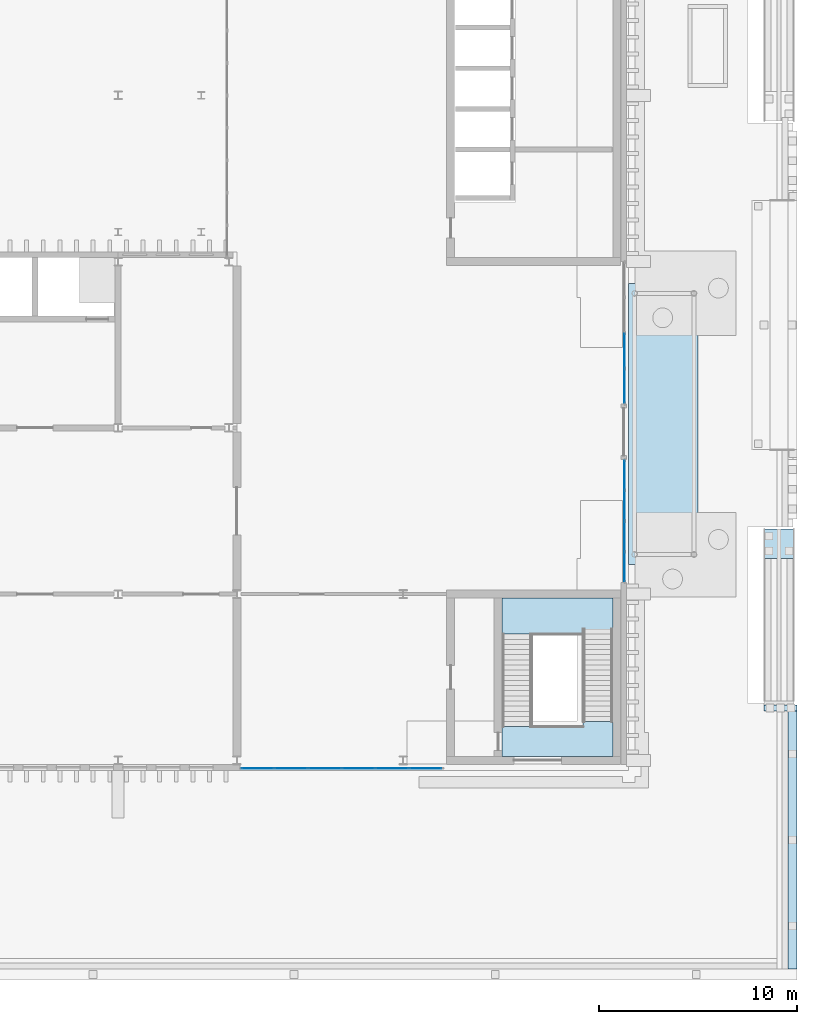
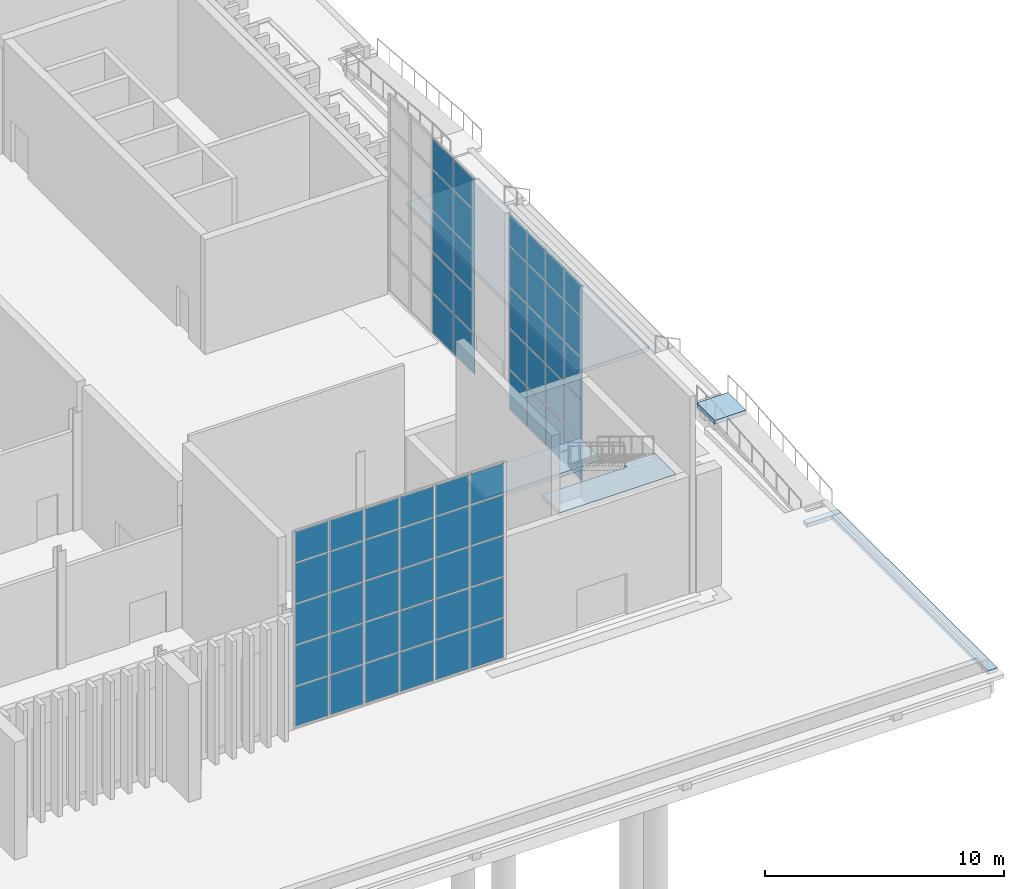
# One storey, part 49 of 108: 60 plates, 6 slabs, 5 elements without a shape of their own.
"""IFC4 building model written with IfcOpenShell, lengths in metres."""

import ifcopenshell
import ifcopenshell.guid

model = None  # the IFC model being written
_history = None  # IfcOwnerHistory: only IFC2X3 demands one
_inside = {}  # id of a spatial element -> (the spatial element, [elements in it])
_under = {}  # id of a project, library or spatial element -> (it, [spatial elements below it])
_declared = {}  # id of a project -> (the project, [libraries it declares])
_typed = {}  # id of a type object -> (the type object, [elements of that type])
_made_of = {}  # id of a material, layer set ... -> (it, [elements and type objects made of it])


def new_model(schema):
    """Start an empty IFC model of exactly this schema.

    Asked for "IFC4X3", IfcOpenShell would pick the latest addendum, in which some entities
    have other attributes; the version numbers below select the first issue.
    IFC2X3 requires an IfcOwnerHistory on every rooted entity: one is made here for all.
    """
    global model, _history
    if schema == "IFC4X3":
        model = ifcopenshell.file(schema_version=(4, 3, 0, 0))
    else:
        model = ifcopenshell.file(schema=schema)
    _inside.clear()
    _under.clear()
    _declared.clear()
    _typed.clear()
    _made_of.clear()
    _history = None
    if model.schema == "IFC2X3":
        org = make("IfcOrganization", Name="unknown")
        user = make(
            "IfcPersonAndOrganization",
            ThePerson=make("IfcPerson", FamilyName="unknown"),
            TheOrganization=org,
        )
        app = make(
            "IfcApplication",
            ApplicationDeveloper=org,
            Version="unknown",
            ApplicationFullName="unknown",
            ApplicationIdentifier="unknown",
        )
        _history = make(
            "IfcOwnerHistory",
            OwningUser=user,
            OwningApplication=app,
            ChangeAction="ADDED",
            CreationDate=0,
        )
    return model


def make(cls, **values):
    """One entity of the class cls with the attributes given. An attribute that is None is left unset."""
    return model.create_entity(
        cls, **{name: value for name, value in values.items() if value is not None}
    )


def rooted(cls, **values):
    """An entity with a GlobalId (a new one), such as an element, a storey or a relation."""
    return make(cls, GlobalId=ifcopenshell.guid.new(), OwnerHistory=_history, **values)


def si_unit(unit_type, name, prefix=None):
    """IfcSIUnit, for example si_unit("LENGTHUNIT", "METRE", prefix="MILLI")."""
    return make("IfcSIUnit", UnitType=unit_type, Prefix=prefix, Name=name)


def assignment(units):
    """IfcUnitAssignment: the units of a project."""
    return None if units is None else make("IfcUnitAssignment", Units=units)


def point(xyz):
    """IfcCartesianPoint."""
    return None if xyz is None else make("IfcCartesianPoint", Coordinates=xyz)


def direction(xyz):
    """IfcDirection."""
    return None if xyz is None else make("IfcDirection", DirectionRatios=xyz)


def frame(location, z_axis=None, x_axis=None):
    """IfcAxis2Placement3D, a coordinate frame: its origin and axes. An axis left out is left unset."""
    return make(
        "IfcAxis2Placement3D",
        Location=point(location),
        Axis=direction(z_axis),
        RefDirection=direction(x_axis),
    )


def frame_2d(location, x_axis=None):
    """IfcAxis2Placement2D, a coordinate frame in the plane: its origin and x axis."""
    return make(
        "IfcAxis2Placement2D", Location=point(location), RefDirection=direction(x_axis)
    )


def origin():
    """The frame at (0, 0, 0) with its axes left unset."""
    return frame((0.0, 0.0, 0.0))


def origin_2d():
    """The frame at (0, 0) in the plane with its x axis left unset."""
    return frame_2d((0.0, 0.0))


def place(relative_to, where):
    """IfcLocalPlacement: puts the frame where relative to a parent placement (None: the world)."""
    return make(
        "IfcLocalPlacement", PlacementRelTo=relative_to, RelativePlacement=where
    )


def context(
    kind, dimensions, precision=None, world=None, true_north=None, identifier=None
):
    """IfcGeometricRepresentationContext, for example the 3D "Model" context."""
    return make(
        "IfcGeometricRepresentationContext",
        ContextIdentifier=identifier,
        ContextType=kind,
        CoordinateSpaceDimension=dimensions,
        Precision=precision,
        WorldCoordinateSystem=world,
        TrueNorth=true_north,
    )


def subcontext(parent, identifier, kind, view, scale=None):
    """IfcGeometricRepresentationSubContext, for example "Body" below "Model"."""
    return make(
        "IfcGeometricRepresentationSubContext",
        ContextIdentifier=identifier,
        ContextType=kind,
        ParentContext=parent,
        TargetScale=scale,
        TargetView=view,
    )


def project(units=None, contexts=None):
    """IfcProject with its units and contexts."""
    return rooted(
        "IfcProject",
        Name="project",
        RepresentationContexts=contexts,
        UnitsInContext=assignment(units),
    )


def spatial(cls, under=None, at=None, **own):
    """A site, building, storey or space (cls), placed at a placement, below another one or the project."""
    s = rooted(cls, ObjectPlacement=at, **own)
    if under is not None:
        _under.setdefault(under.id(), (under, []))[1].append(s)
    return s


def polyline(points):
    """IfcPolyline through the points."""
    return make("IfcPolyline", Points=[point(p) for p in points])


def profile(cls, at=None, kind="AREA", **sizes):
    """A parametric profile (cls). Its sizes go by their IFC names, for example OverallWidth=200.0."""
    return make(cls, ProfileType=kind, Position=at, **sizes)


def rectangle(**sizes):
    """IfcRectangleProfileDef."""
    return profile("IfcRectangleProfileDef", **sizes)


def outline(outer, holes=None, kind="AREA"):
    """IfcArbitraryClosedProfileDef: a profile drawn as a closed curve; with holes, ...WithVoids."""
    if holes is None:
        return make("IfcArbitraryClosedProfileDef", ProfileType=kind, OuterCurve=outer)
    return make(
        "IfcArbitraryProfileDefWithVoids",
        ProfileType=kind,
        OuterCurve=outer,
        InnerCurves=holes,
    )


def extrude(swept, where, along, depth):
    """IfcExtrudedAreaSolid: the profile swept, set in the frame where, extruded along a direction by depth."""
    return make(
        "IfcExtrudedAreaSolid",
        SweptArea=swept,
        Position=where,
        ExtrudedDirection=direction(along),
        Depth=depth,
    )


def shape(context_of_items, identifier, shape_type, items):
    """IfcShapeRepresentation: the items that make up one representation, for example the "Body"."""
    return make(
        "IfcShapeRepresentation",
        ContextOfItems=context_of_items,
        RepresentationIdentifier=identifier,
        RepresentationType=shape_type,
        Items=items,
    )


def material(Name=None, Category=None):
    """IfcMaterial."""
    return make("IfcMaterial", Name=Name, Category=Category)


def layer(
    of_material, thickness, ventilated=None, Name=None, Category=None, Priority=None
):
    """IfcMaterialLayer: one layer of a wall or slab, of a material (None: an air gap)."""
    return make(
        "IfcMaterialLayer",
        Material=of_material,
        LayerThickness=thickness,
        IsVentilated=ventilated,
        Name=Name,
        Category=Category,
        Priority=Priority,
    )


def layer_set(layers, Name=None):
    """IfcMaterialLayerSet."""
    return make("IfcMaterialLayerSet", MaterialLayers=layers, LayerSetName=Name)


def made_of(thing, what):
    """Note that an element or type object is made of a material, layer set ...; save() writes the relation."""
    if what is not None:
        _made_of.setdefault(what.id(), (what, []))[1].append(thing)
    return thing


def type_object(cls, material=None, **own):
    """A type object (cls), such as IfcWallType, which elements share."""
    return made_of(rooted(cls, **own), material)


def element(
    cls,
    number,
    at=None,
    inside=None,
    cuts=None,
    type_object=None,
    material=None,
    context=None,
    identifier="Body",
    shape_type=None,
    held_by="IfcProductDefinitionShape",
    body=None,
    shapes=None,
    **own,
):
    """One element of the class cls, such as IfcWall. Its Tag is "e" and its number.

    at: its placement. inside: the storey or other place that contains it. cuts: it is an
    opening in that element (IfcRelVoidsElement). A single representation is given by context,
    identifier, shape_type and body (its items); several are given by shapes. held_by: the class
    of the entity that holds the representations. save() writes the other relations.
    """
    e = rooted(cls, Tag="e%d" % number, ObjectPlacement=at, **own)
    if body is not None:
        shapes = [shape(context, identifier, shape_type, body)]
    if shapes is not None:
        e.Representation = make(held_by, Representations=shapes)
    if inside is not None:
        _inside.setdefault(inside.id(), (inside, []))[1].append(e)
    if cuts is not None:
        rooted(
            "IfcRelVoidsElement", RelatingBuildingElement=cuts, RelatedOpeningElement=e
        )
    if type_object is not None:
        _typed.setdefault(type_object.id(), (type_object, []))[1].append(e)
    return made_of(e, material)


def aggregate(whole, parts):
    """IfcRelAggregates: a whole, such as a stair, and the parts it consists of."""
    return rooted("IfcRelAggregates", RelatingObject=whole, RelatedObjects=parts)


def save(model, path):
    """Write the relations noted so far, then the file.

    IfcRelAggregates (storeys below a building ...), IfcRelContainedInSpatialStructure (elements
    in a storey), IfcRelDefinesByType, IfcRelAssociatesMaterial and IfcRelDeclares: one each for
    every whole, place, type object, material and project.
    """
    for whole, parts in _under.values():
        aggregate(whole, parts)
    for where, things in _inside.values():
        rooted(
            "IfcRelContainedInSpatialStructure",
            RelatedElements=things,
            RelatingStructure=where,
        )
    for kind, things in _typed.values():
        rooted("IfcRelDefinesByType", RelatedObjects=things, RelatingType=kind)
    for what, things in _made_of.values():
        rooted("IfcRelAssociatesMaterial", RelatedObjects=things, RelatingMaterial=what)
    for by, libraries in _declared.values():
        rooted("IfcRelDeclares", RelatingContext=by, RelatedDefinitions=libraries)
    model.write(path)


model = new_model("IFC4")

# Units and contexts
model_context = context("Model", 3, precision=1e-05, world=origin(), true_north=direction((0.0, 1.0)))
body_context = subcontext(model_context, "Body", "Model", "MODEL_VIEW")
ifc_project = project(units=[si_unit("LENGTHUNIT", "METRE"), si_unit("AREAUNIT", "SQUARE_METRE"), si_unit("VOLUMEUNIT", "CUBIC_METRE"), si_unit("PLANEANGLEUNIT", "RADIAN"), si_unit("MASSUNIT", "GRAM", prefix="KILO")], contexts=[model_context])

# Site, building, storey
site_placement = place(None, origin())
site = spatial("IfcSite", under=ifc_project, at=site_placement, CompositionType="ELEMENT")
building_placement = place(site_placement, origin())
building = spatial("IfcBuilding", under=site, at=building_placement, Name="Cresset Court Congress Hotel", CompositionType="ELEMENT")
storey_placement = place(building_placement, origin())
storey = spatial("IfcBuildingStorey", under=building, at=storey_placement, Name="L00", CompositionType="ELEMENT", Elevation=0.0)

# Curtain wall, plates
ifc_material_1 = material(Name="Aluminium and glass", Category="aluminium")
curtain_wall_type = type_object("IfcCurtainWallType", Name="Curtain wall 1680 module", PredefinedType="NOTDEFINED", material=ifc_material_1)
curtain_wall_1_placement = place(storey_placement, origin())
curtain_wall_1 = element("IfcCurtainWall", 1, at=curtain_wall_1_placement, inside=storey, type_object=curtain_wall_type, Name="Entrance glazing south", PredefinedType="NOTDEFINED")
ifc_material_2 = material(Name="Laminated glass", Category="glass")
ifc_layer_1 = layer(ifc_material_2, 0.028076171875)
ifc_layer_set_1 = layer_set([ifc_layer_1], Name="Curtain wall glass panel 28")
plate_type = type_object("IfcPlateType", Name="Curtain wall glass panel 28", PredefinedType="CURTAIN_PANEL", material=ifc_layer_set_1)
plate_1_placement = place(storey_placement, frame((176.800048828125, 9.7900390625, 0.06005859375), z_axis=(0.0, 0.0, 1.0), x_axis=(0.0, 1.0, 0.0)))
plate_1 = element("IfcPlate", 2, at=plate_1_placement, type_object=plate_type, Name="A-X1 panel 1.1", PredefinedType="CURTAIN_PANEL", context=body_context, shape_type="SweptSolid", body=[
    extrude(rectangle(XDim=1.4599609375, YDim=0.028076171875, at=origin_2d()), origin(), (0.0, 0.0, 1.0), 2.010009765625),
])
plate_2_placement = place(storey_placement, frame((176.800048828125, 9.7900390625, 2.1298828125), z_axis=(0.0, 0.0, 1.0), x_axis=(0.0, 1.0, 0.0)))
plate_2 = element("IfcPlate", 3, at=plate_2_placement, type_object=plate_type, Name="A-X1 panel 1.2", PredefinedType="CURTAIN_PANEL", context=body_context, shape_type="SweptSolid", body=[
    extrude(rectangle(XDim=1.4599609375, YDim=0.028076171875, at=origin_2d()), origin(), (0.0, 0.0, 1.0), 2.0400390625),
])
plate_3_placement = place(storey_placement, frame((176.800048828125, 9.7900390625, 4.22998046875), z_axis=(0.0, 0.0, 1.0), x_axis=(0.0, 1.0, 0.0)))
plate_3 = element("IfcPlate", 4, at=plate_3_placement, type_object=plate_type, Name="A-X1 panel 1.3", PredefinedType="CURTAIN_PANEL", context=body_context, shape_type="SweptSolid", body=[
    extrude(rectangle(XDim=1.4599609375, YDim=0.028076171875, at=origin_2d()), origin(), (0.0, 0.0, 1.0), 2.0400390625),
])
plate_4_placement = place(storey_placement, frame((176.800048828125, 9.7900390625, 6.330078125), z_axis=(0.0, 0.0, 1.0), x_axis=(0.0, 1.0, 0.0)))
plate_4 = element("IfcPlate", 5, at=plate_4_placement, type_object=plate_type, Name="A-X1 panel 1.4", PredefinedType="CURTAIN_PANEL", context=body_context, shape_type="SweptSolid", body=[
    extrude(rectangle(XDim=1.4599609375, YDim=0.028076171875, at=origin_2d()), origin(), (0.0, 0.0, 1.0), 2.0400390625),
])
plate_5_placement = place(storey_placement, frame((176.800048828125, 9.7900390625, 8.429931640625), z_axis=(0.0, 0.0, 1.0), x_axis=(0.0, 1.0, 0.0)))
plate_5 = element("IfcPlate", 6, at=plate_5_placement, type_object=plate_type, Name="A-X1 panel 1.5", PredefinedType="CURTAIN_PANEL", context=body_context, shape_type="SweptSolid", body=[
    extrude(rectangle(XDim=1.4599609375, YDim=0.028076171875, at=origin_2d()), origin(), (0.0, 0.0, 1.0), 1.56005859375),
])
plate_6_placement = place(storey_placement, frame((176.800048828125, 11.324951171875, 0.06005859375), z_axis=(0.0, 0.0, 1.0), x_axis=(0.0, 1.0, 0.0)))
plate_6 = element("IfcPlate", 7, at=plate_6_placement, type_object=plate_type, Name="A-X1 panel 2.1", PredefinedType="CURTAIN_PANEL", context=body_context, shape_type="SweptSolid", body=[
    extrude(rectangle(XDim=1.489990234375, YDim=0.028076171875, at=origin_2d()), origin(), (0.0, 0.0, 1.0), 2.010009765625),
])
plate_7_placement = place(storey_placement, frame((176.800048828125, 11.324951171875, 2.1298828125), z_axis=(0.0, 0.0, 1.0), x_axis=(0.0, 1.0, 0.0)))
plate_7 = element("IfcPlate", 8, at=plate_7_placement, type_object=plate_type, Name="A-X1 panel 2.2", PredefinedType="CURTAIN_PANEL", context=body_context, shape_type="SweptSolid", body=[
    extrude(rectangle(XDim=1.489990234375, YDim=0.028076171875, at=origin_2d()), origin(), (0.0, 0.0, 1.0), 2.0400390625),
])
plate_8_placement = place(storey_placement, frame((176.800048828125, 11.324951171875, 4.22998046875), z_axis=(0.0, 0.0, 1.0), x_axis=(0.0, 1.0, 0.0)))
plate_8 = element("IfcPlate", 9, at=plate_8_placement, type_object=plate_type, Name="A-X1 panel 2.3", PredefinedType="CURTAIN_PANEL", context=body_context, shape_type="SweptSolid", body=[
    extrude(rectangle(XDim=1.489990234375, YDim=0.028076171875, at=origin_2d()), origin(), (0.0, 0.0, 1.0), 2.0400390625),
])
plate_9_placement = place(storey_placement, frame((176.800048828125, 11.324951171875, 6.330078125), z_axis=(0.0, 0.0, 1.0), x_axis=(0.0, 1.0, 0.0)))
plate_9 = element("IfcPlate", 10, at=plate_9_placement, type_object=plate_type, Name="A-X1 panel 2.4", PredefinedType="CURTAIN_PANEL", context=body_context, shape_type="SweptSolid", body=[
    extrude(rectangle(XDim=1.489990234375, YDim=0.028076171875, at=origin_2d()), origin(), (0.0, 0.0, 1.0), 2.0400390625),
])
plate_10_placement = place(storey_placement, frame((176.800048828125, 11.324951171875, 8.429931640625), z_axis=(0.0, 0.0, 1.0), x_axis=(0.0, 1.0, 0.0)))
plate_10 = element("IfcPlate", 11, at=plate_10_placement, type_object=plate_type, Name="A-X1 panel 2.5", PredefinedType="CURTAIN_PANEL", context=body_context, shape_type="SweptSolid", body=[
    extrude(rectangle(XDim=1.489990234375, YDim=0.028076171875, at=origin_2d()), origin(), (0.0, 0.0, 1.0), 1.56005859375),
])
plate_11_placement = place(storey_placement, frame((176.800048828125, 12.875, 0.06005859375), z_axis=(0.0, 0.0, 1.0), x_axis=(0.0, 1.0, 0.0)))
plate_11 = element("IfcPlate", 12, at=plate_11_placement, type_object=plate_type, Name="A-X1 panel 3.1", PredefinedType="CURTAIN_PANEL", context=body_context, shape_type="SweptSolid", body=[
    extrude(rectangle(XDim=1.489990234375, YDim=0.028076171875, at=origin_2d()), origin(), (0.0, 0.0, 1.0), 2.010009765625),
])
plate_12_placement = place(storey_placement, frame((176.800048828125, 12.875, 2.1298828125), z_axis=(0.0, 0.0, 1.0), x_axis=(0.0, 1.0, 0.0)))
plate_12 = element("IfcPlate", 13, at=plate_12_placement, type_object=plate_type, Name="A-X1 panel 3.2", PredefinedType="CURTAIN_PANEL", context=body_context, shape_type="SweptSolid", body=[
    extrude(rectangle(XDim=1.489990234375, YDim=0.028076171875, at=origin_2d()), origin(), (0.0, 0.0, 1.0), 2.0400390625),
])
plate_13_placement = place(storey_placement, frame((176.800048828125, 12.875, 4.22998046875), z_axis=(0.0, 0.0, 1.0), x_axis=(0.0, 1.0, 0.0)))
plate_13 = element("IfcPlate", 14, at=plate_13_placement, type_object=plate_type, Name="A-X1 panel 3.3", PredefinedType="CURTAIN_PANEL", context=body_context, shape_type="SweptSolid", body=[
    extrude(rectangle(XDim=1.489990234375, YDim=0.028076171875, at=origin_2d()), origin(), (0.0, 0.0, 1.0), 2.0400390625),
])
plate_14_placement = place(storey_placement, frame((176.800048828125, 12.875, 6.330078125), z_axis=(0.0, 0.0, 1.0), x_axis=(0.0, 1.0, 0.0)))
plate_14 = element("IfcPlate", 15, at=plate_14_placement, type_object=plate_type, Name="A-X1 panel 3.4", PredefinedType="CURTAIN_PANEL", context=body_context, shape_type="SweptSolid", body=[
    extrude(rectangle(XDim=1.489990234375, YDim=0.028076171875, at=origin_2d()), origin(), (0.0, 0.0, 1.0), 2.0400390625),
])
plate_15_placement = place(storey_placement, frame((176.800048828125, 12.875, 8.429931640625), z_axis=(0.0, 0.0, 1.0), x_axis=(0.0, 1.0, 0.0)))
plate_15 = element("IfcPlate", 16, at=plate_15_placement, type_object=plate_type, Name="A-X1 panel 3.5", PredefinedType="CURTAIN_PANEL", context=body_context, shape_type="SweptSolid", body=[
    extrude(rectangle(XDim=1.489990234375, YDim=0.028076171875, at=origin_2d()), origin(), (0.0, 0.0, 1.0), 1.56005859375),
])
plate_16_placement = place(storey_placement, frame((176.800048828125, 14.409912109375, 0.06005859375), z_axis=(0.0, 0.0, 1.0), x_axis=(0.0, 1.0, 0.0)))
plate_16 = element("IfcPlate", 17, at=plate_16_placement, type_object=plate_type, Name="A-X1 panel 4.1", PredefinedType="CURTAIN_PANEL", context=body_context, shape_type="SweptSolid", body=[
    extrude(rectangle(XDim=1.4599609375, YDim=0.028076171875, at=origin_2d()), origin(), (0.0, 0.0, 1.0), 2.010009765625),
])
plate_17_placement = place(storey_placement, frame((176.800048828125, 14.409912109375, 2.1298828125), z_axis=(0.0, 0.0, 1.0), x_axis=(0.0, 1.0, 0.0)))
plate_17 = element("IfcPlate", 18, at=plate_17_placement, type_object=plate_type, Name="A-X1 panel 4.2", PredefinedType="CURTAIN_PANEL", context=body_context, shape_type="SweptSolid", body=[
    extrude(rectangle(XDim=1.4599609375, YDim=0.028076171875, at=origin_2d()), origin(), (0.0, 0.0, 1.0), 2.0400390625),
])
plate_18_placement = place(storey_placement, frame((176.800048828125, 14.409912109375, 4.22998046875), z_axis=(0.0, 0.0, 1.0), x_axis=(0.0, 1.0, 0.0)))
plate_18 = element("IfcPlate", 19, at=plate_18_placement, type_object=plate_type, Name="A-X1 panel 4.3", PredefinedType="CURTAIN_PANEL", context=body_context, shape_type="SweptSolid", body=[
    extrude(rectangle(XDim=1.4599609375, YDim=0.028076171875, at=origin_2d()), origin(), (0.0, 0.0, 1.0), 2.0400390625),
])
plate_19_placement = place(storey_placement, frame((176.800048828125, 14.409912109375, 6.330078125), z_axis=(0.0, 0.0, 1.0), x_axis=(0.0, 1.0, 0.0)))
plate_19 = element("IfcPlate", 20, at=plate_19_placement, type_object=plate_type, Name="A-X1 panel 4.4", PredefinedType="CURTAIN_PANEL", context=body_context, shape_type="SweptSolid", body=[
    extrude(rectangle(XDim=1.4599609375, YDim=0.028076171875, at=origin_2d()), origin(), (0.0, 0.0, 1.0), 2.0400390625),
])
plate_20_placement = place(storey_placement, frame((176.800048828125, 14.409912109375, 8.429931640625), z_axis=(0.0, 0.0, 1.0), x_axis=(0.0, 1.0, 0.0)))
plate_20 = element("IfcPlate", 21, at=plate_20_placement, type_object=plate_type, Name="A-X1 panel 4.5", PredefinedType="CURTAIN_PANEL", context=body_context, shape_type="SweptSolid", body=[
    extrude(rectangle(XDim=1.4599609375, YDim=0.028076171875, at=origin_2d()), origin(), (0.0, 0.0, 1.0), 1.56005859375),
])
aggregate(curtain_wall_1, [plate_1, plate_2, plate_3, plate_4, plate_5, plate_6, plate_7, plate_8, plate_9, plate_10, plate_11, plate_12, plate_13, plate_14, plate_15, plate_16, plate_17, plate_18, plate_19, plate_20])

curtain_wall_2_placement = place(storey_placement, origin())
curtain_wall_2 = element("IfcCurtainWall", 22, at=curtain_wall_2_placement, inside=storey, type_object=curtain_wall_type, Name="Entrance glazing north", PredefinedType="NOTDEFINED")
plate_21_placement = place(storey_placement, frame((176.800048828125, 18.9150390625, 0.06005859375), z_axis=(0.0, 0.0, 1.0), x_axis=(0.0, 1.0, 0.0)))
plate_21 = element("IfcPlate", 23, at=plate_21_placement, type_object=plate_type, Name="A-X1 panel 1.1", PredefinedType="CURTAIN_PANEL", context=body_context, shape_type="SweptSolid", body=[
    extrude(rectangle(XDim=1.7099609375, YDim=0.028076171875, at=origin_2d()), origin(), (0.0, 0.0, 1.0), 2.010009765625),
])
plate_22_placement = place(storey_placement, frame((176.800048828125, 18.9150390625, 2.1298828125), z_axis=(0.0, 0.0, 1.0), x_axis=(0.0, 1.0, 0.0)))
plate_22 = element("IfcPlate", 24, at=plate_22_placement, type_object=plate_type, Name="A-X1 panel 1.2", PredefinedType="CURTAIN_PANEL", context=body_context, shape_type="SweptSolid", body=[
    extrude(rectangle(XDim=1.7099609375, YDim=0.028076171875, at=origin_2d()), origin(), (0.0, 0.0, 1.0), 2.0400390625),
])
plate_23_placement = place(storey_placement, frame((176.800048828125, 18.9150390625, 4.22998046875), z_axis=(0.0, 0.0, 1.0), x_axis=(0.0, 1.0, 0.0)))
plate_23 = element("IfcPlate", 25, at=plate_23_placement, type_object=plate_type, Name="A-X1 panel 1.3", PredefinedType="CURTAIN_PANEL", context=body_context, shape_type="SweptSolid", body=[
    extrude(rectangle(XDim=1.7099609375, YDim=0.028076171875, at=origin_2d()), origin(), (0.0, 0.0, 1.0), 2.0400390625),
])
plate_24_placement = place(storey_placement, frame((176.800048828125, 18.9150390625, 6.330078125), z_axis=(0.0, 0.0, 1.0), x_axis=(0.0, 1.0, 0.0)))
plate_24 = element("IfcPlate", 26, at=plate_24_placement, type_object=plate_type, Name="A-X1 panel 1.4", PredefinedType="CURTAIN_PANEL", context=body_context, shape_type="SweptSolid", body=[
    extrude(rectangle(XDim=1.7099609375, YDim=0.028076171875, at=origin_2d()), origin(), (0.0, 0.0, 1.0), 2.0400390625),
])
plate_25_placement = place(storey_placement, frame((176.800048828125, 18.9150390625, 8.429931640625), z_axis=(0.0, 0.0, 1.0), x_axis=(0.0, 1.0, 0.0)))
plate_25 = element("IfcPlate", 27, at=plate_25_placement, type_object=plate_type, Name="A-X1 panel 1.5", PredefinedType="CURTAIN_PANEL", context=body_context, shape_type="SweptSolid", body=[
    extrude(rectangle(XDim=1.7099609375, YDim=0.028076171875, at=origin_2d()), origin(), (0.0, 0.0, 1.0), 1.56005859375),
])
plate_26_placement = place(storey_placement, frame((176.800048828125, 20.699951171875, 0.06005859375), z_axis=(0.0, 0.0, 1.0), x_axis=(0.0, 1.0, 0.0)))
plate_26 = element("IfcPlate", 28, at=plate_26_placement, type_object=plate_type, Name="A-X1 panel 2.1", PredefinedType="CURTAIN_PANEL", context=body_context, shape_type="SweptSolid", body=[
    extrude(rectangle(XDim=1.739990234375, YDim=0.028076171875, at=origin_2d()), origin(), (0.0, 0.0, 1.0), 2.010009765625),
])
plate_27_placement = place(storey_placement, frame((176.800048828125, 20.699951171875, 2.1298828125), z_axis=(0.0, 0.0, 1.0), x_axis=(0.0, 1.0, 0.0)))
plate_27 = element("IfcPlate", 29, at=plate_27_placement, type_object=plate_type, Name="A-X1 panel 2.2", PredefinedType="CURTAIN_PANEL", context=body_context, shape_type="SweptSolid", body=[
    extrude(rectangle(XDim=1.739990234375, YDim=0.028076171875, at=origin_2d()), origin(), (0.0, 0.0, 1.0), 2.0400390625),
])
plate_28_placement = place(storey_placement, frame((176.800048828125, 20.699951171875, 4.22998046875), z_axis=(0.0, 0.0, 1.0), x_axis=(0.0, 1.0, 0.0)))
plate_28 = element("IfcPlate", 30, at=plate_28_placement, type_object=plate_type, Name="A-X1 panel 2.3", PredefinedType="CURTAIN_PANEL", context=body_context, shape_type="SweptSolid", body=[
    extrude(rectangle(XDim=1.739990234375, YDim=0.028076171875, at=origin_2d()), origin(), (0.0, 0.0, 1.0), 2.0400390625),
])
plate_29_placement = place(storey_placement, frame((176.800048828125, 20.699951171875, 6.330078125), z_axis=(0.0, 0.0, 1.0), x_axis=(0.0, 1.0, 0.0)))
plate_29 = element("IfcPlate", 31, at=plate_29_placement, type_object=plate_type, Name="A-X1 panel 2.4", PredefinedType="CURTAIN_PANEL", context=body_context, shape_type="SweptSolid", body=[
    extrude(rectangle(XDim=1.739990234375, YDim=0.028076171875, at=origin_2d()), origin(), (0.0, 0.0, 1.0), 2.0400390625),
])
plate_30_placement = place(storey_placement, frame((176.800048828125, 20.699951171875, 8.429931640625), z_axis=(0.0, 0.0, 1.0), x_axis=(0.0, 1.0, 0.0)))
plate_30 = element("IfcPlate", 32, at=plate_30_placement, type_object=plate_type, Name="A-X1 panel 2.5", PredefinedType="CURTAIN_PANEL", context=body_context, shape_type="SweptSolid", body=[
    extrude(rectangle(XDim=1.739990234375, YDim=0.028076171875, at=origin_2d()), origin(), (0.0, 0.0, 1.0), 1.56005859375),
])
aggregate(curtain_wall_2, [plate_21, plate_22, plate_23, plate_24, plate_25, plate_26, plate_27, plate_28, plate_29, plate_30])

curtain_wall_3_placement = place(storey_placement, origin())
curtain_wall_3 = element("IfcCurtainWall", 33, at=curtain_wall_3_placement, inside=storey, type_object=curtain_wall_type, Name="Breakfast room glazing", PredefinedType="NOTDEFINED")
plate_31_placement = place(storey_placement, frame((158.264892578125, -0.39990234375, 0.06005859375), z_axis=(0.0, 0.0, 1.0), x_axis=(1.0, 0.0, 0.0)))
plate_31 = element("IfcPlate", 34, at=plate_31_placement, type_object=plate_type, Name="A-X1 panel 1.1", PredefinedType="CURTAIN_PANEL", context=body_context, shape_type="SweptSolid", body=[
    extrude(rectangle(XDim=1.610107421875, YDim=0.028076171875, at=origin_2d()), origin(), (0.0, 0.0, 1.0), 2.010009765625),
])
plate_32_placement = place(storey_placement, frame((158.264892578125, -0.39990234375, 2.1298828125), z_axis=(0.0, 0.0, 1.0), x_axis=(1.0, 0.0, 0.0)))
plate_32 = element("IfcPlate", 35, at=plate_32_placement, type_object=plate_type, Name="A-X1 panel 1.2", PredefinedType="CURTAIN_PANEL", context=body_context, shape_type="SweptSolid", body=[
    extrude(rectangle(XDim=1.610107421875, YDim=0.028076171875, at=origin_2d()), origin(), (0.0, 0.0, 1.0), 2.0400390625),
])
plate_33_placement = place(storey_placement, frame((158.264892578125, -0.39990234375, 4.22998046875), z_axis=(0.0, 0.0, 1.0), x_axis=(1.0, 0.0, 0.0)))
plate_33 = element("IfcPlate", 36, at=plate_33_placement, type_object=plate_type, Name="A-X1 panel 1.3", PredefinedType="CURTAIN_PANEL", context=body_context, shape_type="SweptSolid", body=[
    extrude(rectangle(XDim=1.610107421875, YDim=0.028076171875, at=origin_2d()), origin(), (0.0, 0.0, 1.0), 2.0400390625),
])
plate_34_placement = place(storey_placement, frame((158.264892578125, -0.39990234375, 6.330078125), z_axis=(0.0, 0.0, 1.0), x_axis=(1.0, 0.0, 0.0)))
plate_34 = element("IfcPlate", 37, at=plate_34_placement, type_object=plate_type, Name="A-X1 panel 1.4", PredefinedType="CURTAIN_PANEL", context=body_context, shape_type="SweptSolid", body=[
    extrude(rectangle(XDim=1.610107421875, YDim=0.028076171875, at=origin_2d()), origin(), (0.0, 0.0, 1.0), 2.0400390625),
])
plate_35_placement = place(storey_placement, frame((158.264892578125, -0.39990234375, 8.429931640625), z_axis=(0.0, 0.0, 1.0), x_axis=(1.0, 0.0, 0.0)))
plate_35 = element("IfcPlate", 38, at=plate_35_placement, type_object=plate_type, Name="A-X1 panel 1.5", PredefinedType="CURTAIN_PANEL", context=body_context, shape_type="SweptSolid", body=[
    extrude(rectangle(XDim=1.610107421875, YDim=0.028076171875, at=origin_2d()), origin(), (0.0, 0.0, 1.0), 1.56005859375),
])
plate_36_placement = place(storey_placement, frame((159.949951171875, -0.39990234375, 0.06005859375), z_axis=(0.0, 0.0, 1.0), x_axis=(1.0, 0.0, 0.0)))
plate_36 = element("IfcPlate", 39, at=plate_36_placement, type_object=plate_type, Name="A-X1 panel 2.1", PredefinedType="CURTAIN_PANEL", context=body_context, shape_type="SweptSolid", body=[
    extrude(rectangle(XDim=1.639892578125, YDim=0.028076171875, at=origin_2d()), origin(), (0.0, 0.0, 1.0), 2.010009765625),
])
plate_37_placement = place(storey_placement, frame((159.949951171875, -0.39990234375, 2.1298828125), z_axis=(0.0, 0.0, 1.0), x_axis=(1.0, 0.0, 0.0)))
plate_37 = element("IfcPlate", 40, at=plate_37_placement, type_object=plate_type, Name="A-X1 panel 2.2", PredefinedType="CURTAIN_PANEL", context=body_context, shape_type="SweptSolid", body=[
    extrude(rectangle(XDim=1.639892578125, YDim=0.028076171875, at=origin_2d()), origin(), (0.0, 0.0, 1.0), 2.0400390625),
])
plate_38_placement = place(storey_placement, frame((159.949951171875, -0.39990234375, 4.22998046875), z_axis=(0.0, 0.0, 1.0), x_axis=(1.0, 0.0, 0.0)))
plate_38 = element("IfcPlate", 41, at=plate_38_placement, type_object=plate_type, Name="A-X1 panel 2.3", PredefinedType="CURTAIN_PANEL", context=body_context, shape_type="SweptSolid", body=[
    extrude(rectangle(XDim=1.639892578125, YDim=0.028076171875, at=origin_2d()), origin(), (0.0, 0.0, 1.0), 2.0400390625),
])
plate_39_placement = place(storey_placement, frame((159.949951171875, -0.39990234375, 6.330078125), z_axis=(0.0, 0.0, 1.0), x_axis=(1.0, 0.0, 0.0)))
plate_39 = element("IfcPlate", 42, at=plate_39_placement, type_object=plate_type, Name="A-X1 panel 2.4", PredefinedType="CURTAIN_PANEL", context=body_context, shape_type="SweptSolid", body=[
    extrude(rectangle(XDim=1.639892578125, YDim=0.028076171875, at=origin_2d()), origin(), (0.0, 0.0, 1.0), 2.0400390625),
])
plate_40_placement = place(storey_placement, frame((159.949951171875, -0.39990234375, 8.429931640625), z_axis=(0.0, 0.0, 1.0), x_axis=(1.0, 0.0, 0.0)))
plate_40 = element("IfcPlate", 43, at=plate_40_placement, type_object=plate_type, Name="A-X1 panel 2.5", PredefinedType="CURTAIN_PANEL", context=body_context, shape_type="SweptSolid", body=[
    extrude(rectangle(XDim=1.639892578125, YDim=0.028076171875, at=origin_2d()), origin(), (0.0, 0.0, 1.0), 1.56005859375),
])
plate_41_placement = place(storey_placement, frame((161.64990234375, -0.39990234375, 0.06005859375), z_axis=(0.0, 0.0, 1.0), x_axis=(1.0, 0.0, 0.0)))
plate_41 = element("IfcPlate", 44, at=plate_41_placement, type_object=plate_type, Name="A-X1 panel 3.1", PredefinedType="CURTAIN_PANEL", context=body_context, shape_type="SweptSolid", body=[
    extrude(rectangle(XDim=1.639892578125, YDim=0.028076171875, at=origin_2d()), origin(), (0.0, 0.0, 1.0), 2.010009765625),
])
plate_42_placement = place(storey_placement, frame((161.64990234375, -0.39990234375, 2.1298828125), z_axis=(0.0, 0.0, 1.0), x_axis=(1.0, 0.0, 0.0)))
plate_42 = element("IfcPlate", 45, at=plate_42_placement, type_object=plate_type, Name="A-X1 panel 3.2", PredefinedType="CURTAIN_PANEL", context=body_context, shape_type="SweptSolid", body=[
    extrude(rectangle(XDim=1.639892578125, YDim=0.028076171875, at=origin_2d()), origin(), (0.0, 0.0, 1.0), 2.0400390625),
])
plate_43_placement = place(storey_placement, frame((161.64990234375, -0.39990234375, 4.22998046875), z_axis=(0.0, 0.0, 1.0), x_axis=(1.0, 0.0, 0.0)))
plate_43 = element("IfcPlate", 46, at=plate_43_placement, type_object=plate_type, Name="A-X1 panel 3.3", PredefinedType="CURTAIN_PANEL", context=body_context, shape_type="SweptSolid", body=[
    extrude(rectangle(XDim=1.639892578125, YDim=0.028076171875, at=origin_2d()), origin(), (0.0, 0.0, 1.0), 2.0400390625),
])
plate_44_placement = place(storey_placement, frame((161.64990234375, -0.39990234375, 6.330078125), z_axis=(0.0, 0.0, 1.0), x_axis=(1.0, 0.0, 0.0)))
plate_44 = element("IfcPlate", 47, at=plate_44_placement, type_object=plate_type, Name="A-X1 panel 3.4", PredefinedType="CURTAIN_PANEL", context=body_context, shape_type="SweptSolid", body=[
    extrude(rectangle(XDim=1.639892578125, YDim=0.028076171875, at=origin_2d()), origin(), (0.0, 0.0, 1.0), 2.0400390625),
])
plate_45_placement = place(storey_placement, frame((161.64990234375, -0.39990234375, 8.429931640625), z_axis=(0.0, 0.0, 1.0), x_axis=(1.0, 0.0, 0.0)))
plate_45 = element("IfcPlate", 48, at=plate_45_placement, type_object=plate_type, Name="A-X1 panel 3.5", PredefinedType="CURTAIN_PANEL", context=body_context, shape_type="SweptSolid", body=[
    extrude(rectangle(XDim=1.639892578125, YDim=0.028076171875, at=origin_2d()), origin(), (0.0, 0.0, 1.0), 1.56005859375),
])
plate_46_placement = place(storey_placement, frame((163.35009765625, -0.39990234375, 0.06005859375), z_axis=(0.0, 0.0, 1.0), x_axis=(1.0, 0.0, 0.0)))
plate_46 = element("IfcPlate", 49, at=plate_46_placement, type_object=plate_type, Name="A-X1 panel 4.1", PredefinedType="CURTAIN_PANEL", context=body_context, shape_type="SweptSolid", body=[
    extrude(rectangle(XDim=1.639892578125, YDim=0.028076171875, at=origin_2d()), origin(), (0.0, 0.0, 1.0), 2.010009765625),
])
plate_47_placement = place(storey_placement, frame((163.35009765625, -0.39990234375, 2.1298828125), z_axis=(0.0, 0.0, 1.0), x_axis=(1.0, 0.0, 0.0)))
plate_47 = element("IfcPlate", 50, at=plate_47_placement, type_object=plate_type, Name="A-X1 panel 4.2", PredefinedType="CURTAIN_PANEL", context=body_context, shape_type="SweptSolid", body=[
    extrude(rectangle(XDim=1.639892578125, YDim=0.028076171875, at=origin_2d()), origin(), (0.0, 0.0, 1.0), 2.0400390625),
])
plate_48_placement = place(storey_placement, frame((163.35009765625, -0.39990234375, 4.22998046875), z_axis=(0.0, 0.0, 1.0), x_axis=(1.0, 0.0, 0.0)))
plate_48 = element("IfcPlate", 51, at=plate_48_placement, type_object=plate_type, Name="A-X1 panel 4.3", PredefinedType="CURTAIN_PANEL", context=body_context, shape_type="SweptSolid", body=[
    extrude(rectangle(XDim=1.639892578125, YDim=0.028076171875, at=origin_2d()), origin(), (0.0, 0.0, 1.0), 2.0400390625),
])
plate_49_placement = place(storey_placement, frame((163.35009765625, -0.39990234375, 6.330078125), z_axis=(0.0, 0.0, 1.0), x_axis=(1.0, 0.0, 0.0)))
plate_49 = element("IfcPlate", 52, at=plate_49_placement, type_object=plate_type, Name="A-X1 panel 4.4", PredefinedType="CURTAIN_PANEL", context=body_context, shape_type="SweptSolid", body=[
    extrude(rectangle(XDim=1.639892578125, YDim=0.028076171875, at=origin_2d()), origin(), (0.0, 0.0, 1.0), 2.0400390625),
])
plate_50_placement = place(storey_placement, frame((163.35009765625, -0.39990234375, 8.429931640625), z_axis=(0.0, 0.0, 1.0), x_axis=(1.0, 0.0, 0.0)))
plate_50 = element("IfcPlate", 53, at=plate_50_placement, type_object=plate_type, Name="A-X1 panel 4.5", PredefinedType="CURTAIN_PANEL", context=body_context, shape_type="SweptSolid", body=[
    extrude(rectangle(XDim=1.639892578125, YDim=0.028076171875, at=origin_2d()), origin(), (0.0, 0.0, 1.0), 1.56005859375),
])
plate_51_placement = place(storey_placement, frame((165.050048828125, -0.39990234375, 0.06005859375), z_axis=(0.0, 0.0, 1.0), x_axis=(1.0, 0.0, 0.0)))
plate_51 = element("IfcPlate", 54, at=plate_51_placement, type_object=plate_type, Name="A-X1 panel 5.1", PredefinedType="CURTAIN_PANEL", context=body_context, shape_type="SweptSolid", body=[
    extrude(rectangle(XDim=1.639892578125, YDim=0.028076171875, at=origin_2d()), origin(), (0.0, 0.0, 1.0), 2.010009765625),
])
plate_52_placement = place(storey_placement, frame((165.050048828125, -0.39990234375, 2.1298828125), z_axis=(0.0, 0.0, 1.0), x_axis=(1.0, 0.0, 0.0)))
plate_52 = element("IfcPlate", 55, at=plate_52_placement, type_object=plate_type, Name="A-X1 panel 5.2", PredefinedType="CURTAIN_PANEL", context=body_context, shape_type="SweptSolid", body=[
    extrude(rectangle(XDim=1.639892578125, YDim=0.028076171875, at=origin_2d()), origin(), (0.0, 0.0, 1.0), 2.0400390625),
])
plate_53_placement = place(storey_placement, frame((165.050048828125, -0.39990234375, 4.22998046875), z_axis=(0.0, 0.0, 1.0), x_axis=(1.0, 0.0, 0.0)))
plate_53 = element("IfcPlate", 56, at=plate_53_placement, type_object=plate_type, Name="A-X1 panel 5.3", PredefinedType="CURTAIN_PANEL", context=body_context, shape_type="SweptSolid", body=[
    extrude(rectangle(XDim=1.639892578125, YDim=0.028076171875, at=origin_2d()), origin(), (0.0, 0.0, 1.0), 2.0400390625),
])
plate_54_placement = place(storey_placement, frame((165.050048828125, -0.39990234375, 6.330078125), z_axis=(0.0, 0.0, 1.0), x_axis=(1.0, 0.0, 0.0)))
plate_54 = element("IfcPlate", 57, at=plate_54_placement, type_object=plate_type, Name="A-X1 panel 5.4", PredefinedType="CURTAIN_PANEL", context=body_context, shape_type="SweptSolid", body=[
    extrude(rectangle(XDim=1.639892578125, YDim=0.028076171875, at=origin_2d()), origin(), (0.0, 0.0, 1.0), 2.0400390625),
])
plate_55_placement = place(storey_placement, frame((165.050048828125, -0.39990234375, 8.429931640625), z_axis=(0.0, 0.0, 1.0), x_axis=(1.0, 0.0, 0.0)))
plate_55 = element("IfcPlate", 58, at=plate_55_placement, type_object=plate_type, Name="A-X1 panel 5.5", PredefinedType="CURTAIN_PANEL", context=body_context, shape_type="SweptSolid", body=[
    extrude(rectangle(XDim=1.639892578125, YDim=0.028076171875, at=origin_2d()), origin(), (0.0, 0.0, 1.0), 1.56005859375),
])
plate_56_placement = place(storey_placement, frame((166.735107421875, -0.39990234375, 0.06005859375), z_axis=(0.0, 0.0, 1.0), x_axis=(1.0, 0.0, 0.0)))
plate_56 = element("IfcPlate", 59, at=plate_56_placement, type_object=plate_type, Name="A-X1 panel 6.1", PredefinedType="CURTAIN_PANEL", context=body_context, shape_type="SweptSolid", body=[
    extrude(rectangle(XDim=1.610107421875, YDim=0.028076171875, at=origin_2d()), origin(), (0.0, 0.0, 1.0), 2.010009765625),
])
plate_57_placement = place(storey_placement, frame((166.735107421875, -0.39990234375, 2.1298828125), z_axis=(0.0, 0.0, 1.0), x_axis=(1.0, 0.0, 0.0)))
plate_57 = element("IfcPlate", 60, at=plate_57_placement, type_object=plate_type, Name="A-X1 panel 6.2", PredefinedType="CURTAIN_PANEL", context=body_context, shape_type="SweptSolid", body=[
    extrude(rectangle(XDim=1.610107421875, YDim=0.028076171875, at=origin_2d()), origin(), (0.0, 0.0, 1.0), 2.0400390625),
])
plate_58_placement = place(storey_placement, frame((166.735107421875, -0.39990234375, 4.22998046875), z_axis=(0.0, 0.0, 1.0), x_axis=(1.0, 0.0, 0.0)))
plate_58 = element("IfcPlate", 61, at=plate_58_placement, type_object=plate_type, Name="A-X1 panel 6.3", PredefinedType="CURTAIN_PANEL", context=body_context, shape_type="SweptSolid", body=[
    extrude(rectangle(XDim=1.610107421875, YDim=0.028076171875, at=origin_2d()), origin(), (0.0, 0.0, 1.0), 2.0400390625),
])
plate_59_placement = place(storey_placement, frame((166.735107421875, -0.39990234375, 6.330078125), z_axis=(0.0, 0.0, 1.0), x_axis=(1.0, 0.0, 0.0)))
plate_59 = element("IfcPlate", 62, at=plate_59_placement, type_object=plate_type, Name="A-X1 panel 6.4", PredefinedType="CURTAIN_PANEL", context=body_context, shape_type="SweptSolid", body=[
    extrude(rectangle(XDim=1.610107421875, YDim=0.028076171875, at=origin_2d()), origin(), (0.0, 0.0, 1.0), 2.0400390625),
])
plate_60_placement = place(storey_placement, frame((166.735107421875, -0.39990234375, 8.429931640625), z_axis=(0.0, 0.0, 1.0), x_axis=(1.0, 0.0, 0.0)))
plate_60 = element("IfcPlate", 63, at=plate_60_placement, type_object=plate_type, Name="A-X1 panel 6.5", PredefinedType="CURTAIN_PANEL", context=body_context, shape_type="SweptSolid", body=[
    extrude(rectangle(XDim=1.610107421875, YDim=0.028076171875, at=origin_2d()), origin(), (0.0, 0.0, 1.0), 1.56005859375),
])
aggregate(curtain_wall_3, [plate_31, plate_32, plate_33, plate_34, plate_35, plate_36, plate_37, plate_38, plate_39, plate_40, plate_41, plate_42, plate_43, plate_44, plate_45, plate_46, plate_47, plate_48, plate_49, plate_50, plate_51, plate_52, plate_53, plate_54, plate_55, plate_56, plate_57, plate_58, plate_59, plate_60])

# Slab
ifc_material_3 = material(Name="Concrete C35", Category="concrete")
ifc_layer_2 = layer(ifc_material_3, 0.199951171875)
ifc_layer_set_2 = layer_set([ifc_layer_2], Name="Landing slab 200")
slab_type_1 = type_object("IfcSlabType", Name="Landing slab 200", PredefinedType="LANDING", material=ifc_layer_set_2)
slab_1_placement = place(storey_placement, frame((0.0, 0.0, -0.800048828125)))
element("IfcSlab", 64, at=slab_1_placement, inside=storey, type_object=slab_type_1, Name="Ramp foot landing E01", PredefinedType="LANDING", context=body_context, shape_type="SweptSolid", body=[
    extrude(outline(polyline([(183.85009765625, 2.5), (185.498046875, 2.5), (185.498046875, 2.800048828125), (183.85009765625, 2.800048828125), (183.85009765625, 2.5)])), origin(), (0.0, 0.0, 1.0), 0.199951171875),
])

# Ramp, slab
ifc_material_4 = material(Name="Concrete C35", Category="concrete")
ramp_type = type_object("IfcRampType", Name="Ramp 1:12", PredefinedType="STRAIGHT_RUN_RAMP", material=ifc_material_4)
ramp_placement = place(storey_placement, origin())
ramp = element("IfcRamp", 65, at=ramp_placement, inside=storey, type_object=ramp_type, Name="Entrance ramp E01", PredefinedType="STRAIGHT_RUN_RAMP")
ifc_material_5 = material(Name="Concrete C35", Category="concrete")
ifc_layer_3 = layer(ifc_material_5, 0.20068359375)
ifc_layer_set_3 = layer_set([ifc_layer_3], Name="Landing slab 201")
slab_type_2 = type_object("IfcSlabType", Name="Landing slab 201", PredefinedType="LANDING", material=ifc_layer_set_3)
slab_2_placement = place(storey_placement, frame((0.0, 0.0, -0.20068359375)))
slab_2 = element("IfcSlab", 66, at=slab_2_placement, type_object=slab_type_2, Name="S.ramp.L00.E01.L1", PredefinedType="LANDING", context=body_context, shape_type="SweptSolid", body=[
    extrude(outline(polyline([(183.85009765625, 10.199951171875), (185.35009765625, 10.199951171875), (185.35009765625, 11.699951171875), (183.85009765625, 11.699951171875), (183.85009765625, 10.199951171875)])), origin(), (0.0, 0.0, 1.0), 0.20068359375),
])
aggregate(ramp, [slab_2])

# Slab
ifc_material_6 = material(Name="Precast concrete C50", Category="concrete")
ifc_layer_4 = layer(ifc_material_6, 0.199951171875)
ifc_layer_set_4 = layer_set([ifc_layer_4], Name="Porte-cochere canopy plate 200")
slab_type_3 = type_object("IfcSlabType", Name="Porte-cochere canopy plate 200", PredefinedType="ROOF", material=ifc_layer_set_4)
slab_3_placement = place(storey_placement, frame((0.0, 0.0, 4.89990234375)))
element("IfcSlab", 67, at=slab_3_placement, inside=storey, type_object=slab_type_3, Name="A.cs.0", PredefinedType="ROOF", context=body_context, shape_type="SweptSolid", body=[
    extrude(outline(polyline([(177.0, 9.89990234375), (180.5, 9.89990234375), (180.5, 24.10009765625), (177.0, 24.10009765625), (177.0, 9.89990234375)])), origin(), (0.0, 0.0, 1.0), 0.2001953125),
])

# Stair, slabs
ifc_material_7 = material(Name="Concrete C40", Category="concrete")
stair_type = type_object("IfcStairType", Name="Concrete dog-leg stair 5600", PredefinedType="HALF_TURN_STAIR", material=ifc_material_7)
stair_placement = place(storey_placement, origin())
stair = element("IfcStair", 68, at=stair_placement, inside=storey, type_object=stair_type, Name="Stair A1 L00", PredefinedType="HALF_TURN_STAIR")
ifc_material_8 = material(Name="Concrete C40", Category="concrete")
ifc_layer_5 = layer(ifc_material_8, 0.199951171875)
ifc_layer_set_5 = layer_set([ifc_layer_5], Name="Stair landing 200")
slab_type_4 = type_object("IfcSlabType", Name="Stair landing 200", PredefinedType="LANDING", material=ifc_layer_set_5)
slab_4_placement = place(storey_placement, frame((0.0, 0.0, 2.800048828125)))
slab_4 = element("IfcSlab", 69, at=slab_4_placement, type_object=slab_type_4, Name="A-ST1 landing 1", PredefinedType="LANDING", context=body_context, shape_type="SweptSolid", body=[
    extrude(outline(polyline([(170.60009765625, 6.379150390625), (176.199951171875, 6.379150390625), (176.199951171875, 8.199951171875), (170.60009765625, 8.199951171875), (170.60009765625, 6.379150390625)])), origin(), (0.0, 0.0, 1.0), 0.199951171875),
])
slab_5_placement = place(storey_placement, frame((0.0, 0.0, 5.800048828125)))
slab_5 = element("IfcSlab", 70, at=slab_5_placement, type_object=slab_type_4, Name="A-ST1 landing 2", PredefinedType="LANDING", context=body_context, shape_type="SweptSolid", body=[
    extrude(outline(polyline([(170.60009765625, 0.199951171875), (176.199951171875, 0.199951171875), (176.199951171875, 1.960693359375), (174.699951171875, 1.960693359375), (174.699951171875, 1.70068359375), (170.60009765625, 1.70068359375), (170.60009765625, 0.199951171875)])), origin(), (0.0, 0.0, 1.0), 0.199951171875),
])
aggregate(stair, [slab_4, slab_5])

# Slab
ifc_material_9 = material(Name="Concrete C35", Category="concrete")
ifc_layer_6 = layer(ifc_material_9, 0.199951171875)
ifc_layer_set_6 = layer_set([ifc_layer_6], Name="Street apron slab 200")
slab_type_5 = type_object("IfcSlabType", Name="Street apron slab 200", PredefinedType="FLOOR", material=ifc_layer_set_6)
slab_6_placement = place(storey_placement, frame((0.0, 0.0, -0.800048828125)))
element("IfcSlab", 71, at=slab_6_placement, inside=storey, type_object=slab_type_5, Name="Street apron E01", PredefinedType="FLOOR", context=body_context, shape_type="SweptSolid", body=[
    extrude(outline(polyline([(185.050048828125, -10.550048828125), (185.498046875, -10.550048828125), (185.498046875, 2.5), (185.050048828125, 2.5), (185.050048828125, -10.550048828125)])), origin(), (0.0, 0.0, 1.0), 0.199951171875),
])

save(model, "model.ifc")
